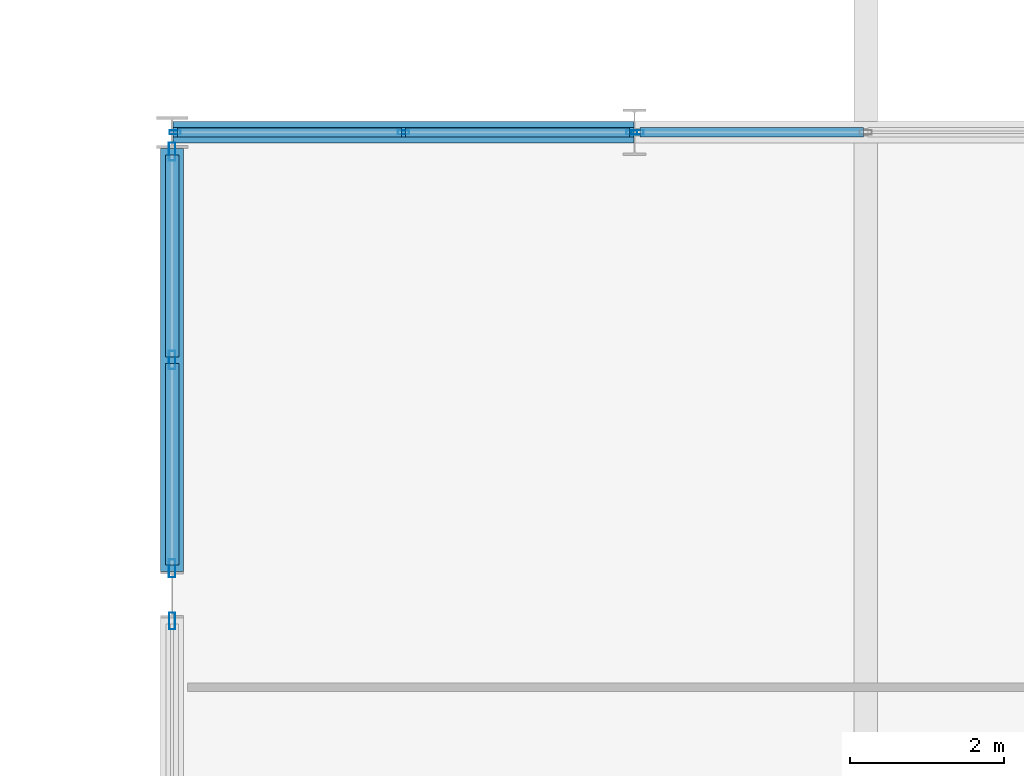
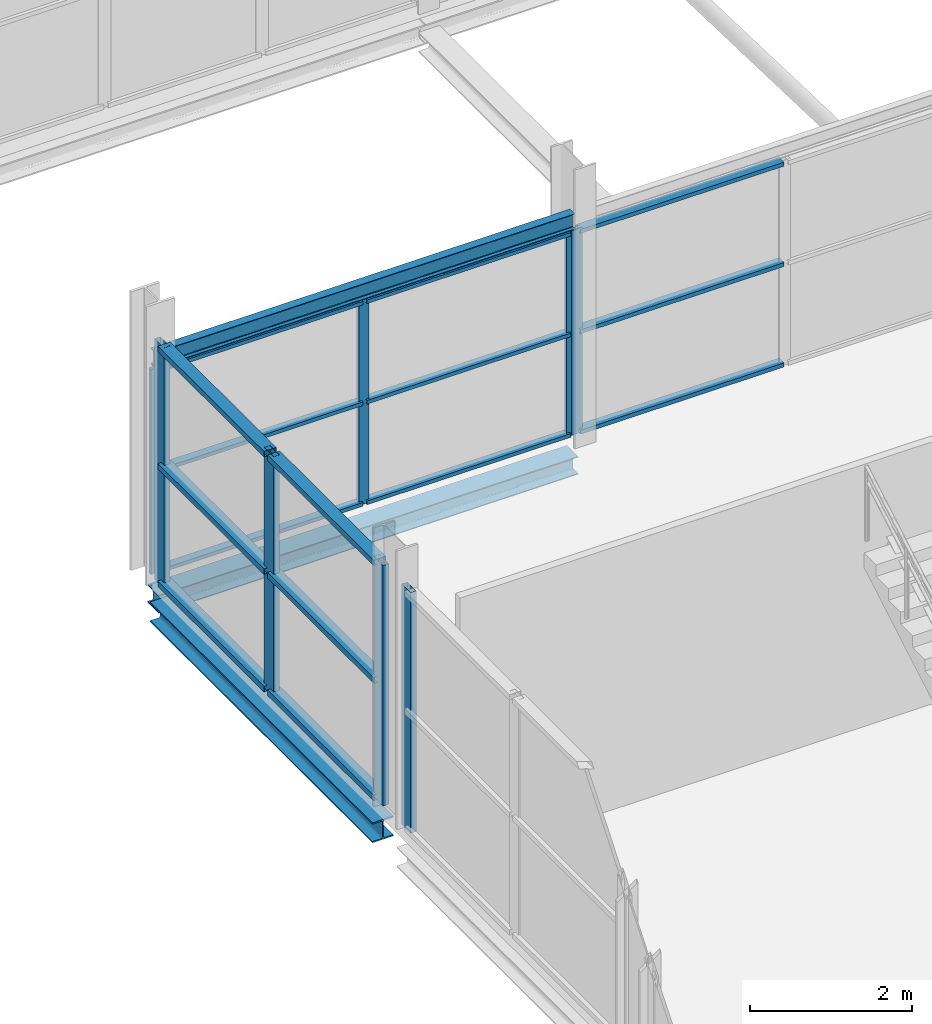
# One storey, part 37 of 140: 23 members, 3 beams, 4 elements without a shape of their own.
"""IFC4 building model written with IfcOpenShell, lengths in metres."""

from ifc_helpers import new_model, si_unit, direction, frame, origin, origin_2d, place, context, subcontext, project, spatial, hollow_rectangle, i_section, extrude, material, layer, layer_set, material_profile, profile_set, type_object, element, aggregate, save


model = new_model("IFC4")

# Units and contexts
model_context = context("Model", 3, precision=1e-05, world=origin(), true_north=direction((0.0, 1.0)))
body_context = subcontext(model_context, "Body", "Model", "MODEL_VIEW")
ifc_project = project(units=[si_unit("LENGTHUNIT", "METRE"), si_unit("AREAUNIT", "SQUARE_METRE"), si_unit("VOLUMEUNIT", "CUBIC_METRE"), si_unit("PLANEANGLEUNIT", "RADIAN"), si_unit("MASSUNIT", "GRAM", prefix="KILO")], contexts=[model_context])

# Site, building, storey
site_placement = place(None, origin())
site = spatial("IfcSite", under=ifc_project, at=site_placement, CompositionType="ELEMENT")
building_placement = place(site_placement, origin())
building = spatial("IfcBuilding", under=site, at=building_placement, Name="Deido Ridge Mobility Hub", CompositionType="ELEMENT")
storey_placement = place(building_placement, origin())
storey = spatial("IfcBuildingStorey", under=building, at=storey_placement, Name="L00", CompositionType="ELEMENT", Elevation=0.0)

# Beam
ifc_material_1 = material(Name="Steel S355J2 EN 10025-2", Category="steel")
ifc_material_profile_1 = material_profile(ifc_material_1, i_section(OverallWidth=0.1201171875, OverallDepth=0.239990234375, WebThickness=0.006103515625, FlangeThickness=0.009765625, FilletRadius=0.014892578125, at=origin_2d()), Name="IPE 240")
ifc_profile_set_1 = profile_set([ifc_material_profile_1], Name="Steel S355J2 EN 10025-2")
beam_type_1 = type_object("IfcBeamType", Name="LNT-IPE240", PredefinedType="LINTEL", material=ifc_profile_set_1)
beam_1_placement = place(storey_placement, frame((0.011962890625, 36.0, 3.22998046875), z_axis=(1.0, 0.0, 0.0), x_axis=(0.0, 1.0, 0.0)))
element("IfcBeam", 1, at=beam_1_placement, inside=storey, type_object=beam_type_1, Name="Opening lintel LN1", PredefinedType="LINTEL", context=body_context, shape_type="SweptSolid", body=[
    extrude(i_section(OverallWidth=0.1201171875, OverallDepth=0.239990234375, WebThickness=0.006103515625, FlangeThickness=0.009765625, FilletRadius=0.014892578125, at=origin_2d()), origin(), (0.0, 0.0, 1.0), 5.980224609375),
])

# Curtain wall, members
ifc_material_2 = material(Name="Anodised aluminium EN AW-6063 T6", Category="aluminium")
ifc_layer_1 = layer(ifc_material_2, 0.132080078125, Name="Anodised aluminium EN AW-6063 T6")
ifc_layer_set_1 = layer_set([ifc_layer_1], Name="Anodised aluminium EN AW-6063 T6")
curtain_wall_type_1 = type_object("IfcCurtainWallType", Name="CW-GS-1", PredefinedType="USERDEFINED", material=ifc_layer_set_1)
curtain_wall_1_placement = place(storey_placement, origin())
curtain_wall_1 = element("IfcCurtainWall", 2, at=curtain_wall_1_placement, inside=storey, type_object=curtain_wall_type_1, Name="Unitised curtain wall GS1", ObjectType="GLAZED SCREEN", PredefinedType="USERDEFINED")
ifc_material_profile_2 = material_profile(ifc_material_2, hollow_rectangle(XDim=0.054931640625, YDim=0.14501953125, WallThickness=0.00390625, at=origin_2d()), Name="RHS 55x145x4")
ifc_profile_set_2 = profile_set([ifc_material_profile_2], Name="Anodised aluminium EN AW-6063 T6")
member_type_1 = type_object("IfcMemberType", Name="MEM-MUL-55X145", PredefinedType="MULLION", material=ifc_profile_set_2)
member_1_placement = place(storey_placement, frame((0.03955078125, 36.0, 0.0), z_axis=(0.0, 0.0, 1.0), x_axis=(0.0, 1.0, 0.0)))
member_1 = element("IfcMember", 3, at=member_1_placement, type_object=member_type_1, Name="GS1 mullion 1", PredefinedType="MULLION", context=body_context, shape_type="SweptSolid", body=[
    extrude(hollow_rectangle(XDim=0.054931640625, YDim=0.14501953125, WallThickness=0.00390625, at=origin_2d()), origin(), (0.0, 0.0, 1.0), 3.0849609375),
])
member_2_placement = place(storey_placement, frame((3.002197265625, 36.0, 0.0), z_axis=(0.0, 0.0, 1.0), x_axis=(0.0, 1.0, 0.0)))
member_2 = element("IfcMember", 4, at=member_2_placement, type_object=member_type_1, Name="GS1 mullion 2", PredefinedType="MULLION", context=body_context, shape_type="SweptSolid", body=[
    extrude(hollow_rectangle(XDim=0.054931640625, YDim=0.14501953125, WallThickness=0.00390625, at=origin_2d()), origin(), (0.0, 0.0, 1.0), 3.0849609375),
])
member_3_placement = place(storey_placement, frame((5.96484375, 36.0, 0.0), z_axis=(0.0, 0.0, 1.0), x_axis=(0.0, 1.0, 0.0)))
member_3 = element("IfcMember", 5, at=member_3_placement, type_object=member_type_1, Name="GS1 mullion 3", PredefinedType="MULLION", context=body_context, shape_type="SweptSolid", body=[
    extrude(hollow_rectangle(XDim=0.054931640625, YDim=0.14501953125, WallThickness=0.00390625, at=origin_2d()), origin(), (0.0, 0.0, 1.0), 3.0849609375),
])

# Curtain wall, member
ifc_layer_2 = layer(ifc_material_2, 0.14404296875, Name="Anodised aluminium EN AW-6063 T6")
ifc_layer_set_2 = layer_set([ifc_layer_2], Name="Anodised aluminium EN AW-6063 T6")
curtain_wall_type_2 = type_object("IfcCurtainWallType", Name="CW-GS-2", PredefinedType="USERDEFINED", material=ifc_layer_set_2)
curtain_wall_2_placement = place(storey_placement, origin())
curtain_wall_2 = element("IfcCurtainWall", 6, at=curtain_wall_2_placement, inside=storey, type_object=curtain_wall_type_2, Name="Unitised curtain wall GS2", ObjectType="GLAZED SCREEN", PredefinedType="USERDEFINED")
ifc_material_profile_3 = material_profile(ifc_material_2, hollow_rectangle(XDim=0.06005859375, YDim=0.159912109375, WallThickness=0.00390625, at=origin_2d()), Name="RHS 60x160x4")
ifc_profile_set_3 = profile_set([ifc_material_profile_3], Name="Anodised aluminium EN AW-6063 T6")
member_type_2 = type_object("IfcMemberType", Name="MEM-MUL-60X160", PredefinedType="MULLION", material=ifc_profile_set_3)
member_4_placement = place(storey_placement, frame((6.03759765625, 36.0, 0.0), z_axis=(0.0, 0.0, 1.0), x_axis=(0.0, 1.0, 0.0)))
member_4 = element("IfcMember", 7, at=member_4_placement, type_object=member_type_2, Name="GS2 mullion 1", PredefinedType="MULLION", context=body_context, shape_type="SweptSolid", body=[
    extrude(hollow_rectangle(XDim=0.06005859375, YDim=0.159912109375, WallThickness=0.00390625, at=origin_2d()), origin(), (0.0, 0.0, 1.0), 3.0849609375),
])

ifc_layer_3 = layer(ifc_material_2, 0.27001953125, Name="Anodised aluminium EN AW-6063 T6")
ifc_layer_set_3 = layer_set([ifc_layer_3], Name="Anodised aluminium EN AW-6063 T6")
curtain_wall_type_3 = type_object("IfcCurtainWallType", Name="CW-UF-8", PredefinedType="USERDEFINED", material=ifc_layer_set_3)
curtain_wall_3_placement = place(storey_placement, origin())
curtain_wall_3 = element("IfcCurtainWall", 8, at=curtain_wall_3_placement, inside=storey, type_object=curtain_wall_type_3, Name="Unitised curtain wall CW8", ObjectType="UNITISED FACADE", PredefinedType="USERDEFINED")
ifc_material_profile_4 = material_profile(ifc_material_2, hollow_rectangle(XDim=0.080078125, YDim=0.219970703125, WallThickness=0.00390625, at=origin_2d()), Name="RHS 80x220x4")
ifc_profile_set_4 = profile_set([ifc_material_profile_4], Name="Anodised aluminium EN AW-6063 T6")
member_type_3 = type_object("IfcMemberType", Name="MEM-MUL-80X220", PredefinedType="MULLION", material=ifc_profile_set_4)
member_5_placement = place(storey_placement, frame((0.0, 29.659912109375, 0.0), z_axis=(0.0, 0.0, 1.0), x_axis=(-1.0, 0.0, 0.0)))
member_5 = element("IfcMember", 9, at=member_5_placement, type_object=member_type_3, Name="CW8 mullion 3", PredefinedType="MULLION", context=body_context, shape_type="SweptSolid", body=[
    extrude(hollow_rectangle(XDim=0.080078125, YDim=0.219970703125, WallThickness=0.00390625, at=origin_2d()), origin(), (0.0, 0.0, 1.0), 3.625),
])
aggregate(curtain_wall_3, [member_5])

# Curtain wall, members
ifc_layer_4 = layer(ifc_material_2, 0.1650390625, Name="Anodised aluminium EN AW-6063 T6")
ifc_layer_set_4 = layer_set([ifc_layer_4], Name="Anodised aluminium EN AW-6063 T6")
curtain_wall_type_4 = type_object("IfcCurtainWallType", Name="CW-UF-1", PredefinedType="USERDEFINED", material=ifc_layer_set_4)
curtain_wall_4_placement = place(storey_placement, origin())
curtain_wall_4 = element("IfcCurtainWall", 10, at=curtain_wall_4_placement, inside=storey, type_object=curtain_wall_type_4, Name="Unitised curtain wall CW1", ObjectType="UNITISED FACADE", PredefinedType="USERDEFINED")
ifc_material_profile_5 = material_profile(ifc_material_2, hollow_rectangle(XDim=0.0849609375, YDim=0.235107421875, WallThickness=0.00390625, at=origin_2d()), Name="RHS 85x235x4")
ifc_profile_set_5 = profile_set([ifc_material_profile_5], Name="Anodised aluminium EN AW-6063 T6")
member_type_4 = type_object("IfcMemberType", Name="MEM-MUL-85X235", PredefinedType="MULLION", material=ifc_profile_set_5)
member_6_placement = place(storey_placement, frame((0.0, 30.342529296875, 0.0), z_axis=(0.0, 0.0, 1.0), x_axis=(-1.0, 0.0, 0.0)))
member_6 = element("IfcMember", 11, at=member_6_placement, type_object=member_type_4, Name="CW1 mullion 1", PredefinedType="MULLION", context=body_context, shape_type="SweptSolid", body=[
    extrude(hollow_rectangle(XDim=0.0849609375, YDim=0.235107421875, WallThickness=0.00390625, at=origin_2d()), origin(), (0.0, 0.0, 1.0), 3.625),
])
member_7_placement = place(storey_placement, frame((0.0, 33.0458984375, 0.0), z_axis=(0.0, 0.0, 1.0), x_axis=(-1.0, 0.0, 0.0)))
member_7 = element("IfcMember", 12, at=member_7_placement, type_object=member_type_4, Name="CW1 mullion 2", PredefinedType="MULLION", context=body_context, shape_type="SweptSolid", body=[
    extrude(hollow_rectangle(XDim=0.0849609375, YDim=0.235107421875, WallThickness=0.00390625, at=origin_2d()), origin(), (0.0, 0.0, 1.0), 3.625),
])
member_8_placement = place(storey_placement, frame((0.0, 35.74951171875, 0.0), z_axis=(0.0, 0.0, 1.0), x_axis=(-1.0, 0.0, 0.0)))
member_8 = element("IfcMember", 13, at=member_8_placement, type_object=member_type_4, Name="CW1 mullion 3", PredefinedType="MULLION", context=body_context, shape_type="SweptSolid", body=[
    extrude(hollow_rectangle(XDim=0.0849609375, YDim=0.235107421875, WallThickness=0.00390625, at=origin_2d()), origin(), (0.0, 0.0, 1.0), 3.625),
])

# Member
ifc_material_profile_6 = material_profile(ifc_material_2, hollow_rectangle(XDim=0.114990234375, YDim=0.054931640625, WallThickness=0.00390625, at=origin_2d()), Name="RHS 115x55x4")
ifc_profile_set_6 = profile_set([ifc_material_profile_6], Name="Anodised aluminium EN AW-6063 T6")
member_type_5 = type_object("IfcMemberType", Name="MEM-TRN-115X55", PredefinedType="USERDEFINED", material=ifc_profile_set_6)
member_9_placement = place(storey_placement, frame((0.06689453125, 36.0, 0.027587890625), z_axis=(1.0, 0.0, 0.0), x_axis=(0.0, 1.0, 0.0)))
member_9 = element("IfcMember", 14, at=member_9_placement, type_object=member_type_5, Name="GS1 transom 1.1", ObjectType="TRANSOM", PredefinedType="USERDEFINED", context=body_context, shape_type="SweptSolid", body=[
    extrude(hollow_rectangle(XDim=0.114990234375, YDim=0.054931640625, WallThickness=0.00390625, at=origin_2d()), origin(), (0.0, 0.0, 1.0), 2.90771484375),
])

member_10_placement = place(storey_placement, frame((0.06689453125, 36.0, 1.54248046875), z_axis=(1.0, 0.0, 0.0), x_axis=(0.0, 1.0, 0.0)))
member_10 = element("IfcMember", 15, at=member_10_placement, type_object=member_type_5, Name="GS1 transom 1.2", ObjectType="TRANSOM", PredefinedType="USERDEFINED", context=body_context, shape_type="SweptSolid", body=[
    extrude(hollow_rectangle(XDim=0.114990234375, YDim=0.054931640625, WallThickness=0.00390625, at=origin_2d()), origin(), (0.0, 0.0, 1.0), 2.90771484375),
])

member_11_placement = place(storey_placement, frame((0.06689453125, 36.0, 3.0576171875), z_axis=(1.0, 0.0, 0.0), x_axis=(0.0, 1.0, 0.0)))
member_11 = element("IfcMember", 16, at=member_11_placement, type_object=member_type_5, Name="GS1 transom 1.3", ObjectType="TRANSOM", PredefinedType="USERDEFINED", context=body_context, shape_type="SweptSolid", body=[
    extrude(hollow_rectangle(XDim=0.114990234375, YDim=0.054931640625, WallThickness=0.00390625, at=origin_2d()), origin(), (0.0, 0.0, 1.0), 2.90771484375),
])

member_12_placement = place(storey_placement, frame((3.029541015625, 36.0, 0.027587890625), z_axis=(1.0, 0.0, 0.0), x_axis=(0.0, 1.0, 0.0)))
member_12 = element("IfcMember", 17, at=member_12_placement, type_object=member_type_5, Name="GS1 transom 2.1", ObjectType="TRANSOM", PredefinedType="USERDEFINED", context=body_context, shape_type="SweptSolid", body=[
    extrude(hollow_rectangle(XDim=0.114990234375, YDim=0.054931640625, WallThickness=0.00390625, at=origin_2d()), origin(), (0.0, 0.0, 1.0), 2.90771484375),
])

member_13_placement = place(storey_placement, frame((3.029541015625, 36.0, 1.54248046875), z_axis=(1.0, 0.0, 0.0), x_axis=(0.0, 1.0, 0.0)))
member_13 = element("IfcMember", 18, at=member_13_placement, type_object=member_type_5, Name="GS1 transom 2.2", ObjectType="TRANSOM", PredefinedType="USERDEFINED", context=body_context, shape_type="SweptSolid", body=[
    extrude(hollow_rectangle(XDim=0.114990234375, YDim=0.054931640625, WallThickness=0.00390625, at=origin_2d()), origin(), (0.0, 0.0, 1.0), 2.90771484375),
])

member_14_placement = place(storey_placement, frame((3.029541015625, 36.0, 3.0576171875), z_axis=(1.0, 0.0, 0.0), x_axis=(0.0, 1.0, 0.0)))
member_14 = element("IfcMember", 19, at=member_14_placement, type_object=member_type_5, Name="GS1 transom 2.3", ObjectType="TRANSOM", PredefinedType="USERDEFINED", context=body_context, shape_type="SweptSolid", body=[
    extrude(hollow_rectangle(XDim=0.114990234375, YDim=0.054931640625, WallThickness=0.00390625, at=origin_2d()), origin(), (0.0, 0.0, 1.0), 2.90771484375),
])

aggregate(curtain_wall_1, [member_1, member_2, member_3, member_9, member_10, member_11, member_12, member_13, member_14])

ifc_material_profile_7 = material_profile(ifc_material_2, hollow_rectangle(XDim=0.125, YDim=0.06005859375, WallThickness=0.00390625, at=origin_2d()), Name="RHS 125x60x4")
ifc_profile_set_7 = profile_set([ifc_material_profile_7], Name="Anodised aluminium EN AW-6063 T6")
member_type_6 = type_object("IfcMemberType", Name="MEM-TRN-125X60", PredefinedType="USERDEFINED", material=ifc_profile_set_7)
member_15_placement = place(storey_placement, frame((6.067626953125, 36.0, 0.030029296875), z_axis=(1.0, 0.0, 0.0), x_axis=(0.0, 1.0, 0.0)))
member_15 = element("IfcMember", 20, at=member_15_placement, type_object=member_type_6, Name="GS2 transom 1.1", ObjectType="TRANSOM", PredefinedType="USERDEFINED", context=body_context, shape_type="SweptSolid", body=[
    extrude(hollow_rectangle(XDim=0.125, YDim=0.06005859375, WallThickness=0.00390625, at=origin_2d()), origin(), (0.0, 0.0, 1.0), 2.90234375),
])

member_16_placement = place(storey_placement, frame((6.067626953125, 36.0, 1.54248046875), z_axis=(1.0, 0.0, 0.0), x_axis=(0.0, 1.0, 0.0)))
member_16 = element("IfcMember", 21, at=member_16_placement, type_object=member_type_6, Name="GS2 transom 1.2", ObjectType="TRANSOM", PredefinedType="USERDEFINED", context=body_context, shape_type="SweptSolid", body=[
    extrude(hollow_rectangle(XDim=0.125, YDim=0.06005859375, WallThickness=0.00390625, at=origin_2d()), origin(), (0.0, 0.0, 1.0), 2.90234375),
])

member_17_placement = place(storey_placement, frame((6.067626953125, 36.0, 3.054931640625), z_axis=(1.0, 0.0, 0.0), x_axis=(0.0, 1.0, 0.0)))
member_17 = element("IfcMember", 22, at=member_17_placement, type_object=member_type_6, Name="GS2 transom 1.3", ObjectType="TRANSOM", PredefinedType="USERDEFINED", context=body_context, shape_type="SweptSolid", body=[
    extrude(hollow_rectangle(XDim=0.125, YDim=0.06005859375, WallThickness=0.00390625, at=origin_2d()), origin(), (0.0, 0.0, 1.0), 2.90234375),
])

aggregate(curtain_wall_2, [member_4, member_15, member_16, member_17])

ifc_material_profile_8 = material_profile(ifc_material_2, hollow_rectangle(XDim=0.175048828125, YDim=0.0849609375, WallThickness=0.00390625, at=origin_2d()), Name="RHS 175x85x4")
ifc_profile_set_8 = profile_set([ifc_material_profile_8], Name="Anodised aluminium EN AW-6063 T6")
member_type_7 = type_object("IfcMemberType", Name="MEM-TRN-175X85", PredefinedType="USERDEFINED", material=ifc_profile_set_8)
member_18_placement = place(storey_placement, frame((0.0, 30.385009765625, 0.04248046875), z_axis=(0.0, 1.0, 0.0), x_axis=(-1.0, 0.0, 0.0)))
member_18 = element("IfcMember", 23, at=member_18_placement, type_object=member_type_7, Name="CW1 transom 1.1", ObjectType="TRANSOM", PredefinedType="USERDEFINED", context=body_context, shape_type="SweptSolid", body=[
    extrude(hollow_rectangle(XDim=0.175048828125, YDim=0.0849609375, WallThickness=0.00390625, at=origin_2d()), origin(), (0.0, 0.0, 1.0), 2.618408203125),
])

member_19_placement = place(storey_placement, frame((0.0, 30.385009765625, 1.8125), z_axis=(0.0, 1.0, 0.0), x_axis=(-1.0, 0.0, 0.0)))
member_19 = element("IfcMember", 24, at=member_19_placement, type_object=member_type_7, Name="CW1 transom 1.2", ObjectType="TRANSOM", PredefinedType="USERDEFINED", context=body_context, shape_type="SweptSolid", body=[
    extrude(hollow_rectangle(XDim=0.175048828125, YDim=0.0849609375, WallThickness=0.00390625, at=origin_2d()), origin(), (0.0, 0.0, 1.0), 2.618408203125),
])

member_20_placement = place(storey_placement, frame((0.0, 30.385009765625, 3.58251953125), z_axis=(0.0, 1.0, 0.0), x_axis=(-1.0, 0.0, 0.0)))
member_20 = element("IfcMember", 25, at=member_20_placement, type_object=member_type_7, Name="CW1 transom 1.3", ObjectType="TRANSOM", PredefinedType="USERDEFINED", context=body_context, shape_type="SweptSolid", body=[
    extrude(hollow_rectangle(XDim=0.175048828125, YDim=0.0849609375, WallThickness=0.00390625, at=origin_2d()), origin(), (0.0, 0.0, 1.0), 2.618408203125),
])

member_21_placement = place(storey_placement, frame((0.0, 33.08837890625, 0.04248046875), z_axis=(0.0, 1.0, 0.0), x_axis=(-1.0, 0.0, 0.0)))
member_21 = element("IfcMember", 26, at=member_21_placement, type_object=member_type_7, Name="CW1 transom 2.1", ObjectType="TRANSOM", PredefinedType="USERDEFINED", context=body_context, shape_type="SweptSolid", body=[
    extrude(hollow_rectangle(XDim=0.175048828125, YDim=0.0849609375, WallThickness=0.00390625, at=origin_2d()), origin(), (0.0, 0.0, 1.0), 2.61865234375),
])

member_22_placement = place(storey_placement, frame((0.0, 33.08837890625, 1.8125), z_axis=(0.0, 1.0, 0.0), x_axis=(-1.0, 0.0, 0.0)))
member_22 = element("IfcMember", 27, at=member_22_placement, type_object=member_type_7, Name="CW1 transom 2.2", ObjectType="TRANSOM", PredefinedType="USERDEFINED", context=body_context, shape_type="SweptSolid", body=[
    extrude(hollow_rectangle(XDim=0.175048828125, YDim=0.0849609375, WallThickness=0.00390625, at=origin_2d()), origin(), (0.0, 0.0, 1.0), 2.61865234375),
])

member_23_placement = place(storey_placement, frame((0.0, 33.08837890625, 3.58251953125), z_axis=(0.0, 1.0, 0.0), x_axis=(-1.0, 0.0, 0.0)))
member_23 = element("IfcMember", 28, at=member_23_placement, type_object=member_type_7, Name="CW1 transom 2.3", ObjectType="TRANSOM", PredefinedType="USERDEFINED", context=body_context, shape_type="SweptSolid", body=[
    extrude(hollow_rectangle(XDim=0.175048828125, YDim=0.0849609375, WallThickness=0.00390625, at=origin_2d()), origin(), (0.0, 0.0, 1.0), 2.61865234375),
])

aggregate(curtain_wall_4, [member_6, member_7, member_8, member_18, member_19, member_20, member_21, member_22, member_23])

# Beams
ifc_material_profile_9 = material_profile(ifc_material_1, i_section(OverallWidth=0.280029296875, OverallDepth=0.27001953125, WebThickness=0.008056640625, FlangeThickness=0.012939453125, FilletRadius=0.02392578125, at=origin_2d()), Name="HEA 280")
ifc_profile_set_9 = profile_set([ifc_material_profile_9], Name="Steel S355J2 EN 10025-2")
beam_type_2 = type_object("IfcBeamType", Name="SPD-HEA280", PredefinedType="SPANDREL", material=ifc_profile_set_9)
beam_2_placement = place(storey_placement, frame((0.011962890625, 36.0, -0.39501953125), z_axis=(1.0, 0.0, 0.0), x_axis=(0.0, 1.0, 0.0)))
element("IfcBeam", 29, at=beam_2_placement, inside=storey, type_object=beam_type_2, Name="Floor beam SP2", PredefinedType="SPANDREL", context=body_context, shape_type="SweptSolid", body=[
    extrude(i_section(OverallWidth=0.280029296875, OverallDepth=0.27001953125, WebThickness=0.008056640625, FlangeThickness=0.012939453125, FilletRadius=0.02392578125, at=origin_2d()), origin(), (0.0, 0.0, 1.0), 5.980224609375),
])
ifc_material_profile_10 = material_profile(ifc_material_1, i_section(OverallWidth=0.300048828125, OverallDepth=0.300048828125, WebThickness=0.010986328125, FlangeThickness=0.01904296875, FilletRadius=0.027099609375, at=origin_2d()), Name="HEB 300")
ifc_profile_set_10 = profile_set([ifc_material_profile_10], Name="Steel S355J2 EN 10025-2")
beam_type_3 = type_object("IfcBeamType", Name="SPD-HEB300", PredefinedType="SPANDREL", material=ifc_profile_set_10)
beam_3_placement = place(storey_placement, frame((0.0, 30.300048828125, -0.409912109375), z_axis=(0.0, 1.0, 0.0), x_axis=(-1.0, 0.0, 0.0)))
element("IfcBeam", 30, at=beam_3_placement, inside=storey, type_object=beam_type_3, Name="Floor beam SP1", PredefinedType="SPANDREL", context=body_context, shape_type="SweptSolid", body=[
    extrude(i_section(OverallWidth=0.300048828125, OverallDepth=0.300048828125, WebThickness=0.010986328125, FlangeThickness=0.01904296875, FilletRadius=0.027099609375, at=origin_2d()), origin(), (0.0, 0.0, 1.0), 5.491943359375),
])

save(model, "model.ifc")
